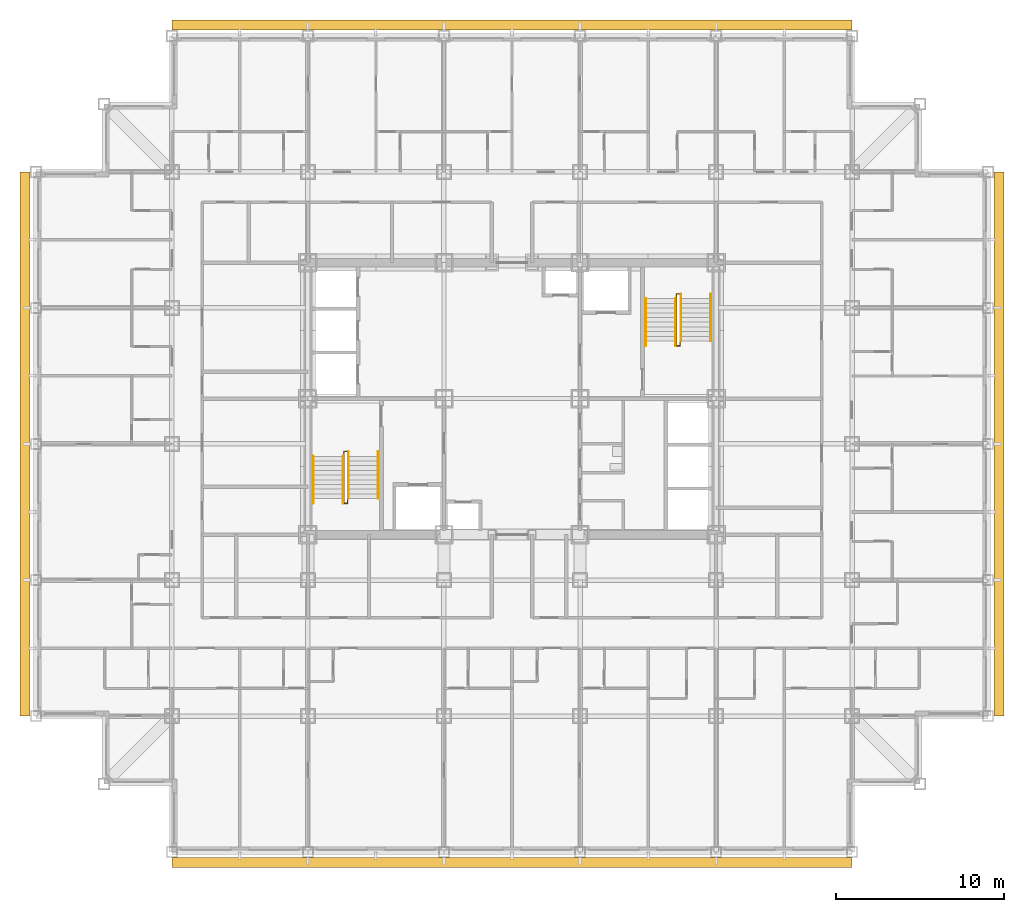
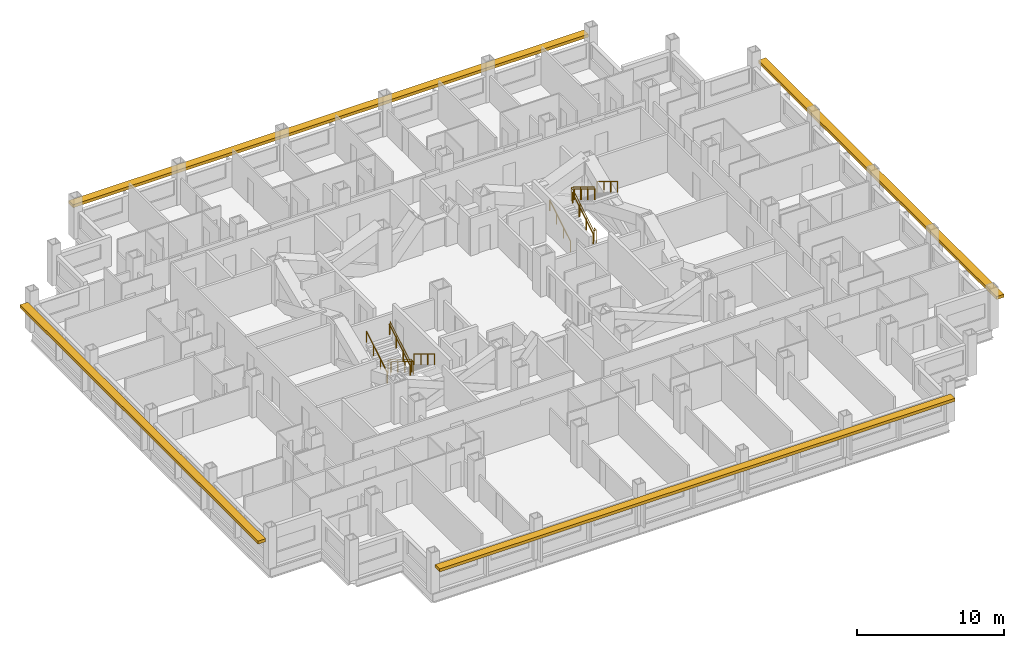
# One storey, part 14 of 15: 10 railings, 4 shading devices.
"""IFC4 building model written with IfcOpenShell, lengths in metres."""

from ifc_helpers import new_model, si_unit, direction, frame, origin, origin_2d, place, context, subcontext, project, spatial, rectangle, circle, extrude, material, type_object, element, save


model = new_model("IFC4")

# Units and contexts
model_context = context("Model", 3, precision=1e-05, world=origin(), true_north=direction((0.0, 1.0)))
body_context = subcontext(model_context, "Body", "Model", "MODEL_VIEW")
ifc_project = project(units=[si_unit("LENGTHUNIT", "METRE"), si_unit("AREAUNIT", "SQUARE_METRE"), si_unit("VOLUMEUNIT", "CUBIC_METRE"), si_unit("PLANEANGLEUNIT", "RADIAN"), si_unit("MASSUNIT", "GRAM", prefix="KILO")], contexts=[model_context])

# Site, building, storey
site_placement = place(None, origin())
site = spatial("IfcSite", under=ifc_project, at=site_placement, CompositionType="ELEMENT")
building_placement = place(site_placement, origin())
building = spatial("IfcBuilding", under=site, at=building_placement, Name="Kopane Lantern Tower", CompositionType="ELEMENT")
storey_placement = place(building_placement, frame((0.0, 0.0, 154.39990234375)))
storey = spatial("IfcBuildingStorey", under=building, at=storey_placement, Name="L40", CompositionType="ELEMENT", Elevation=154.39990234375)

# Railings
ifc_material_1 = material(Name="Steel", Category="steel")
railing_type_1 = type_object("IfcRailingType", Name="STAIR GUARD 1100", PredefinedType="GUARDRAIL", material=ifc_material_1)
railing_1_placement = place(storey_placement, frame((18.35009765625, 28.969970703125, 0.0)))
element("IfcRailing", 1, at=railing_1_placement, inside=storey, type_object=railing_type_1, Name="ST1 well guard L40", PredefinedType="GUARDRAIL", context=body_context, shape_type="SweptSolid", body=[
    extrude(circle(Radius=0.02392578125, at=origin_2d()), frame((0.0, 0.0, 1.076171875), z_axis=(0.0, 1.0, 0.0), x_axis=(-1.0, 0.0, 0.0)), (0.0, 0.0, 1.0), 0.280029296875),
    extrude(circle(Radius=0.02392578125, at=origin_2d()), frame((0.0, 0.280029296875, 1.076171875), z_axis=(1.0, 0.0, 0.0), x_axis=(0.0, 1.0, 0.0)), (0.0, 0.0, 1.0), 0.199951171875),
    extrude(circle(Radius=0.02392578125, at=origin_2d()), frame((0.199951171875, 0.280029296875, 1.076171875), z_axis=(0.0, -0.854765079529, 0.519015085347), x_axis=(1.0, 0.0, 0.0)), (0.0, 0.0, 1.0), 3.27587890625),
    extrude(circle(Radius=0.02392578125, at=origin_2d()), frame((0.199951171875, -2.52001953125, 2.7763671875), z_axis=(0.0, -1.0, 0.0), x_axis=(1.0, 0.0, 0.0)), (0.0, 0.0, 1.0), 0.280029296875),
    extrude(circle(Radius=0.02392578125, at=origin_2d()), frame((0.199951171875, -2.800048828125, 2.7763671875), z_axis=(-1.0, 0.0, 0.0), x_axis=(0.0, -1.0, 0.0)), (0.0, 0.0, 1.0), 0.199951171875),
    extrude(circle(Radius=0.02392578125, at=origin_2d()), frame((0.0, -2.800048828125, 2.7763671875), z_axis=(0.0, 0.854798142509, 0.518960630071), x_axis=(-1.0, 0.0, 0.0)), (0.0, 0.0, 1.0), 3.275634765625),
    extrude(circle(Radius=0.02099609375, at=origin_2d()), origin(), (0.0, 0.0, 1.0), 1.052001953125),
    extrude(circle(Radius=0.02099609375, at=origin_2d()), frame((0.0, 0.280029296875, 0.0)), (0.0, 0.0, 1.0), 1.052001953125),
    extrude(circle(Radius=0.02099609375, at=origin_2d()), frame((0.199951171875, 0.280029296875, 0.0)), (0.0, 0.0, 1.0), 1.052001953125),
    extrude(circle(Radius=0.02099609375, at=origin_2d()), frame((0.199951171875, -0.6533203125, 0.566650390625)), (0.0, 0.0, 1.0), 1.052001953125),
    extrude(circle(Radius=0.02099609375, at=origin_2d()), frame((0.199951171875, -1.586669921875, 1.133544921875)), (0.0, 0.0, 1.0), 1.052001953125),
    extrude(circle(Radius=0.02099609375, at=origin_2d()), frame((0.199951171875, -2.52001953125, 1.7001953125)), (0.0, 0.0, 1.0), 1.052001953125),
    extrude(circle(Radius=0.02099609375, at=origin_2d()), frame((0.199951171875, -2.800048828125, 1.7001953125)), (0.0, 0.0, 1.0), 1.052001953125),
    extrude(circle(Radius=0.02099609375, at=origin_2d()), frame((0.0, -2.800048828125, 1.7001953125)), (0.0, 0.0, 1.0), 1.052001953125),
    extrude(circle(Radius=0.02099609375, at=origin_2d()), frame((0.0, -1.86669921875, 2.266845703125)), (0.0, 0.0, 1.0), 1.052001953125),
    extrude(circle(Radius=0.02099609375, at=origin_2d()), frame((0.0, -0.933349609375, 2.83349609375)), (0.0, 0.0, 1.0), 1.052001953125),
    extrude(circle(Radius=0.02099609375, at=origin_2d()), frame((0.0, 0.0, 3.400146484375)), (0.0, 0.0, 1.0), 1.052001953125),
])
railing_2_placement = place(storey_placement, frame((38.35009765625, 35.830078125, 0.0)))
element("IfcRailing", 2, at=railing_2_placement, inside=storey, type_object=railing_type_1, Name="ST2 well guard L40", PredefinedType="GUARDRAIL", context=body_context, shape_type="SweptSolid", body=[
    extrude(circle(Radius=0.02392578125, at=origin_2d()), frame((0.0, 0.0, 1.076171875), z_axis=(0.0, -1.0, 0.0), x_axis=(1.0, 0.0, 0.0)), (0.0, 0.0, 1.0), 0.280029296875),
    extrude(circle(Radius=0.02392578125, at=origin_2d()), frame((0.0, -0.280029296875, 1.076171875), z_axis=(-1.0, 0.0, 0.0), x_axis=(0.0, -1.0, 0.0)), (0.0, 0.0, 1.0), 0.2001953125),
    extrude(circle(Radius=0.02392578125, at=origin_2d()), frame((-0.2001953125, -0.280029296875, 1.076171875), z_axis=(0.0, 0.854765079529, 0.519015085347), x_axis=(-1.0, 0.0, 0.0)), (0.0, 0.0, 1.0), 3.27587890625),
    extrude(circle(Radius=0.02392578125, at=origin_2d()), frame((-0.2001953125, 2.52001953125, 2.7763671875), z_axis=(0.0, 1.0, 0.0), x_axis=(-1.0, 0.0, 0.0)), (0.0, 0.0, 1.0), 0.27978515625),
    extrude(circle(Radius=0.02392578125, at=origin_2d()), frame((-0.2001953125, 2.7998046875, 2.7763671875), z_axis=(1.0, 0.0, 0.0), x_axis=(0.0, 1.0, 0.0)), (0.0, 0.0, 1.0), 0.2001953125),
    extrude(circle(Radius=0.02392578125, at=origin_2d()), frame((0.0, 2.7998046875, 2.7763671875), z_axis=(0.0, -0.854778067842, 0.518993694313), x_axis=(1.0, 0.0, 0.0)), (0.0, 0.0, 1.0), 3.275390625),
    extrude(circle(Radius=0.02099609375, at=origin_2d()), origin(), (0.0, 0.0, 1.0), 1.052001953125),
    extrude(circle(Radius=0.02099609375, at=origin_2d()), frame((0.0, -0.280029296875, 0.0)), (0.0, 0.0, 1.0), 1.052001953125),
    extrude(circle(Radius=0.02099609375, at=origin_2d()), frame((-0.2001953125, -0.280029296875, 0.0)), (0.0, 0.0, 1.0), 1.052001953125),
    extrude(circle(Radius=0.02099609375, at=origin_2d()), frame((-0.2001953125, 0.6533203125, 0.566650390625)), (0.0, 0.0, 1.0), 1.052001953125),
    extrude(circle(Radius=0.02099609375, at=origin_2d()), frame((-0.2001953125, 1.586669921875, 1.133544921875)), (0.0, 0.0, 1.0), 1.052001953125),
    extrude(circle(Radius=0.02099609375, at=origin_2d()), frame((-0.2001953125, 2.52001953125, 1.7001953125)), (0.0, 0.0, 1.0), 1.052001953125),
    extrude(circle(Radius=0.02099609375, at=origin_2d()), frame((-0.2001953125, 2.7998046875, 1.7001953125)), (0.0, 0.0, 1.0), 1.052001953125),
    extrude(circle(Radius=0.02099609375, at=origin_2d()), frame((0.0, 2.7998046875, 1.7001953125)), (0.0, 0.0, 1.0), 1.052001953125),
    extrude(circle(Radius=0.02099609375, at=origin_2d()), frame((0.0, 1.866455078125, 2.266845703125)), (0.0, 0.0, 1.0), 1.052001953125),
    extrude(circle(Radius=0.02099609375, at=origin_2d()), frame((0.0, 0.933349609375, 2.83349609375)), (0.0, 0.0, 1.0), 1.052001953125),
    extrude(circle(Radius=0.02099609375, at=origin_2d()), frame((0.0, 0.0, 3.400146484375)), (0.0, 0.0, 1.0), 1.052001953125),
])
ifc_material_2 = material(Name="Steel", Category="steel")
railing_type_2 = type_object("IfcRailingType", Name="STAIR HANDRAIL 900", PredefinedType="HANDRAIL", material=ifc_material_2)
for number, where, name in (
    (3, (20.389892578125, 29.25, 0.0), "ST1 handrail L40 flight 1"),
    (4, (18.610107421875, 29.25, 0.0), "ST1 handrail L40 flight 1"),
):
    element("IfcRailing", number, at=place(storey_placement, frame(where)), inside=storey, type_object=railing_type_2, Name=name, PredefinedType="HANDRAIL", context=body_context, shape_type="SweptSolid", body=[
        extrude(circle(Radius=0.02392578125, at=origin_2d()), frame((0.0, 0.0, 0.8759765625), z_axis=(0.0, -0.854765079529, 0.519015085347), x_axis=(1.0, 0.0, 0.0)), (0.0, 0.0, 1.0), 3.27587890625),
        extrude(circle(Radius=0.02099609375, at=origin_2d()), origin(), (0.0, 0.0, 1.0), 0.851806640625),
        extrude(circle(Radius=0.02099609375, at=origin_2d()), frame((0.0, -0.933349609375, 0.566650390625)), (0.0, 0.0, 1.0), 0.851806640625),
        extrude(circle(Radius=0.02099609375, at=origin_2d()), frame((0.0, -1.86669921875, 1.133544921875)), (0.0, 0.0, 1.0), 0.851806640625),
        extrude(circle(Radius=0.02099609375, at=origin_2d()), frame((0.0, -2.800048828125, 1.7001953125)), (0.0, 0.0, 1.0), 0.851806640625),
    ])
for number, where, name in (
    (5, (16.510009765625, 26.169921875, 1.7001953125), "ST1 handrail L40 flight 2"),
    (6, (18.2900390625, 26.169921875, 1.7001953125), "ST1 handrail L40 flight 2"),
):
    element("IfcRailing", number, at=place(storey_placement, frame(where)), inside=storey, type_object=railing_type_2, Name=name, PredefinedType="HANDRAIL", context=body_context, shape_type="SweptSolid", body=[
        extrude(circle(Radius=0.02392578125, at=origin_2d()), frame((0.0, 0.0, 0.8759765625), z_axis=(0.0, 0.854798142509, 0.518960630071), x_axis=(-1.0, 0.0, 0.0)), (0.0, 0.0, 1.0), 3.275634765625),
        extrude(circle(Radius=0.02099609375, at=origin_2d()), origin(), (0.0, 0.0, 1.0), 0.851806640625),
        extrude(circle(Radius=0.02099609375, at=origin_2d()), frame((0.0, 0.933349609375, 0.566650390625)), (0.0, 0.0, 1.0), 0.851806640625),
        extrude(circle(Radius=0.02099609375, at=origin_2d()), frame((0.0, 1.86669921875, 1.13330078125)), (0.0, 0.0, 1.0), 0.851806640625),
        extrude(circle(Radius=0.02099609375, at=origin_2d()), frame((0.0, 2.800048828125, 1.699951171875)), (0.0, 0.0, 1.0), 0.851806640625),
    ])
for number, where, name in (
    (7, (36.31005859375, 35.550048828125, 0.0), "ST2 handrail L40 flight 1"),
    (8, (38.090087890625, 35.550048828125, 0.0), "ST2 handrail L40 flight 1"),
):
    element("IfcRailing", number, at=place(storey_placement, frame(where)), inside=storey, type_object=railing_type_2, Name=name, PredefinedType="HANDRAIL", context=body_context, shape_type="SweptSolid", body=[
        extrude(circle(Radius=0.02392578125, at=origin_2d()), frame((0.0, 0.0, 0.8759765625), z_axis=(0.0, 0.854765079529, 0.519015085347), x_axis=(-1.0, 0.0, 0.0)), (0.0, 0.0, 1.0), 3.27587890625),
        extrude(circle(Radius=0.02099609375, at=origin_2d()), origin(), (0.0, 0.0, 1.0), 0.851806640625),
        extrude(circle(Radius=0.02099609375, at=origin_2d()), frame((0.0, 0.933349609375, 0.566650390625)), (0.0, 0.0, 1.0), 0.851806640625),
        extrude(circle(Radius=0.02099609375, at=origin_2d()), frame((0.0, 1.86669921875, 1.133544921875)), (0.0, 0.0, 1.0), 0.851806640625),
        extrude(circle(Radius=0.02099609375, at=origin_2d()), frame((0.0, 2.800048828125, 1.7001953125)), (0.0, 0.0, 1.0), 0.851806640625),
    ])
for number, where, name in (
    (9, (40.18994140625, 38.6298828125, 1.7001953125), "ST2 handrail L40 flight 2"),
    (10, (38.409912109375, 38.6298828125, 1.7001953125), "ST2 handrail L40 flight 2"),
):
    element("IfcRailing", number, at=place(storey_placement, frame(where)), inside=storey, type_object=railing_type_2, Name=name, PredefinedType="HANDRAIL", context=body_context, shape_type="SweptSolid", body=[
        extrude(circle(Radius=0.02392578125, at=origin_2d()), frame((0.0, 0.0, 0.8759765625), z_axis=(0.0, -0.854778067842, 0.518993694313), x_axis=(1.0, 0.0, 0.0)), (0.0, 0.0, 1.0), 3.275390625),
        extrude(circle(Radius=0.02099609375, at=origin_2d()), origin(), (0.0, 0.0, 1.0), 0.851806640625),
        extrude(circle(Radius=0.02099609375, at=origin_2d()), frame((0.0, -0.933349609375, 0.566650390625)), (0.0, 0.0, 1.0), 0.851806640625),
        extrude(circle(Radius=0.02099609375, at=origin_2d()), frame((0.0, -1.866455078125, 1.13330078125)), (0.0, 0.0, 1.0), 0.851806640625),
        extrude(circle(Radius=0.02099609375, at=origin_2d()), frame((0.0, -2.7998046875, 1.699951171875)), (0.0, 0.0, 1.0), 0.851806640625),
    ])

# Shading devices
ifc_material_3 = material(Name="Terracotta rainscreen on light steel framing", Category="masonry")
shading_device_type = type_object("IfcShadingDeviceType", Name="SUNSHADE BAND SB1 600 TERRACOTTA", PredefinedType="USERDEFINED", material=ifc_material_3)
shading_device_1_placement = place(storey_placement, frame((28.35009765625, 4.77490234375, 2.10009765625), z_axis=(0.0, 0.0, 1.0), x_axis=(1.0, 0.0, 0.0)))
element("IfcShadingDevice", 11, at=shading_device_1_placement, inside=storey, type_object=shading_device_type, Name="Sunshade band S L40", ObjectType="SUNSHADE BAND", PredefinedType="USERDEFINED", context=body_context, shape_type="SweptSolid", body=[
    extrude(rectangle(XDim=40.5, YDim=0.60009765625, at=origin_2d()), origin(), (0.0, 0.0, 1.0), 0.25),
])
shading_device_2_placement = place(storey_placement, frame((57.35009765625, 29.699951171875, 2.10009765625), z_axis=(0.0, 0.0, 1.0), x_axis=(0.0, 1.0, 0.0)))
element("IfcShadingDevice", 12, at=shading_device_2_placement, inside=storey, type_object=shading_device_type, Name="Sunshade band E L40", ObjectType="SUNSHADE BAND", PredefinedType="USERDEFINED", context=body_context, shape_type="SweptSolid", body=[
    extrude(rectangle(XDim=32.39990234375, YDim=0.60009765625, at=origin_2d()), origin(), (0.0, 0.0, 1.0), 0.25),
])
shading_device_3_placement = place(storey_placement, frame((28.35009765625, 54.64990234375, 2.10009765625), z_axis=(0.0, 0.0, 1.0), x_axis=(-1.0, 0.0, 0.0)))
element("IfcShadingDevice", 13, at=shading_device_3_placement, inside=storey, type_object=shading_device_type, Name="Sunshade band N L40", ObjectType="SUNSHADE BAND", PredefinedType="USERDEFINED", context=body_context, shape_type="SweptSolid", body=[
    extrude(rectangle(XDim=40.5, YDim=0.60009765625, at=origin_2d()), origin(), (0.0, 0.0, 1.0), 0.25),
])
shading_device_4_placement = place(storey_placement, frame((-0.64990234375, 29.699951171875, 2.10009765625), z_axis=(0.0, 0.0, 1.0), x_axis=(0.0, -1.0, 0.0)))
element("IfcShadingDevice", 14, at=shading_device_4_placement, inside=storey, type_object=shading_device_type, Name="Sunshade band W L40", ObjectType="SUNSHADE BAND", PredefinedType="USERDEFINED", context=body_context, shape_type="SweptSolid", body=[
    extrude(rectangle(XDim=32.39990234375, YDim=0.60009765625, at=origin_2d()), origin(), (0.0, 0.0, 1.0), 0.25),
])

save(model, "model.ifc")
